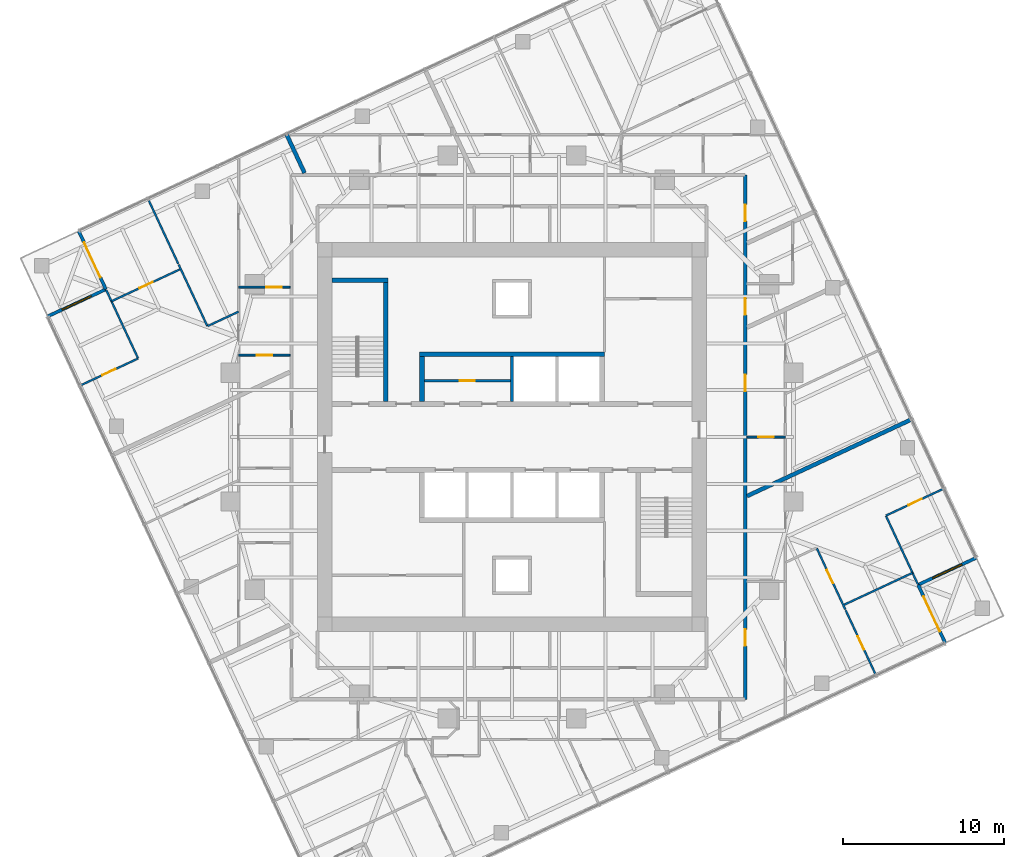
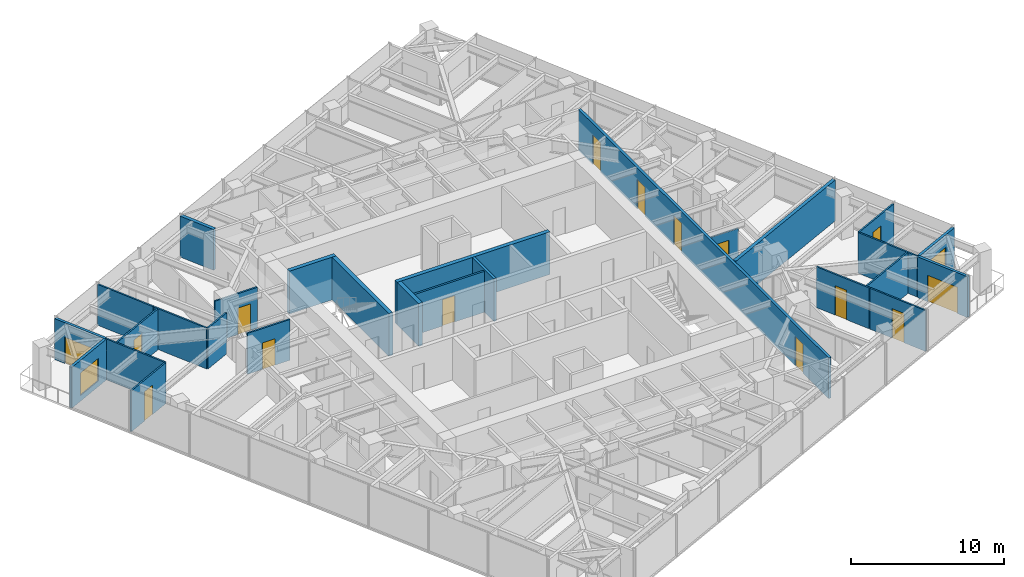
# One storey, part 10 of 13: 27 walls, 15 doors, 2 windows, 17 openings.
"""IFC4 building model written with IfcOpenShell, lengths in metres."""

import ifcopenshell
import ifcopenshell.guid

model = None  # the IFC model being written
_history = None  # IfcOwnerHistory: only IFC2X3 demands one
_inside = {}  # id of a spatial element -> (the spatial element, [elements in it])
_under = {}  # id of a project, library or spatial element -> (it, [spatial elements below it])
_declared = {}  # id of a project -> (the project, [libraries it declares])
_typed = {}  # id of a type object -> (the type object, [elements of that type])
_made_of = {}  # id of a material, layer set ... -> (it, [elements and type objects made of it])


def new_model(schema):
    """Start an empty IFC model of exactly this schema.

    Asked for "IFC4X3", IfcOpenShell would pick the latest addendum, in which some entities
    have other attributes; the version numbers below select the first issue.
    IFC2X3 requires an IfcOwnerHistory on every rooted entity: one is made here for all.
    """
    global model, _history
    if schema == "IFC4X3":
        model = ifcopenshell.file(schema_version=(4, 3, 0, 0))
    else:
        model = ifcopenshell.file(schema=schema)
    _inside.clear()
    _under.clear()
    _declared.clear()
    _typed.clear()
    _made_of.clear()
    _history = None
    if model.schema == "IFC2X3":
        org = make("IfcOrganization", Name="unknown")
        user = make(
            "IfcPersonAndOrganization",
            ThePerson=make("IfcPerson", FamilyName="unknown"),
            TheOrganization=org,
        )
        app = make(
            "IfcApplication",
            ApplicationDeveloper=org,
            Version="unknown",
            ApplicationFullName="unknown",
            ApplicationIdentifier="unknown",
        )
        _history = make(
            "IfcOwnerHistory",
            OwningUser=user,
            OwningApplication=app,
            ChangeAction="ADDED",
            CreationDate=0,
        )
    return model


def make(cls, **values):
    """One entity of the class cls with the attributes given. An attribute that is None is left unset."""
    return model.create_entity(
        cls, **{name: value for name, value in values.items() if value is not None}
    )


def rooted(cls, **values):
    """An entity with a GlobalId (a new one), such as an element, a storey or a relation."""
    return make(cls, GlobalId=ifcopenshell.guid.new(), OwnerHistory=_history, **values)


def si_unit(unit_type, name, prefix=None):
    """IfcSIUnit, for example si_unit("LENGTHUNIT", "METRE", prefix="MILLI")."""
    return make("IfcSIUnit", UnitType=unit_type, Prefix=prefix, Name=name)


def assignment(units):
    """IfcUnitAssignment: the units of a project."""
    return None if units is None else make("IfcUnitAssignment", Units=units)


def point(xyz):
    """IfcCartesianPoint."""
    return None if xyz is None else make("IfcCartesianPoint", Coordinates=xyz)


def direction(xyz):
    """IfcDirection."""
    return None if xyz is None else make("IfcDirection", DirectionRatios=xyz)


def frame(location, z_axis=None, x_axis=None):
    """IfcAxis2Placement3D, a coordinate frame: its origin and axes. An axis left out is left unset."""
    return make(
        "IfcAxis2Placement3D",
        Location=point(location),
        Axis=direction(z_axis),
        RefDirection=direction(x_axis),
    )


def frame_2d(location, x_axis=None):
    """IfcAxis2Placement2D, a coordinate frame in the plane: its origin and x axis."""
    return make(
        "IfcAxis2Placement2D", Location=point(location), RefDirection=direction(x_axis)
    )


def origin():
    """The frame at (0, 0, 0) with its axes left unset."""
    return frame((0.0, 0.0, 0.0))


def place(relative_to, where):
    """IfcLocalPlacement: puts the frame where relative to a parent placement (None: the world)."""
    return make(
        "IfcLocalPlacement", PlacementRelTo=relative_to, RelativePlacement=where
    )


def context(
    kind, dimensions, precision=None, world=None, true_north=None, identifier=None
):
    """IfcGeometricRepresentationContext, for example the 3D "Model" context."""
    return make(
        "IfcGeometricRepresentationContext",
        ContextIdentifier=identifier,
        ContextType=kind,
        CoordinateSpaceDimension=dimensions,
        Precision=precision,
        WorldCoordinateSystem=world,
        TrueNorth=true_north,
    )


def subcontext(parent, identifier, kind, view, scale=None):
    """IfcGeometricRepresentationSubContext, for example "Body" below "Model"."""
    return make(
        "IfcGeometricRepresentationSubContext",
        ContextIdentifier=identifier,
        ContextType=kind,
        ParentContext=parent,
        TargetScale=scale,
        TargetView=view,
    )


def project(units=None, contexts=None):
    """IfcProject with its units and contexts."""
    return rooted(
        "IfcProject",
        Name="project",
        RepresentationContexts=contexts,
        UnitsInContext=assignment(units),
    )


def spatial(cls, under=None, at=None, **own):
    """A site, building, storey or space (cls), placed at a placement, below another one or the project."""
    s = rooted(cls, ObjectPlacement=at, **own)
    if under is not None:
        _under.setdefault(under.id(), (under, []))[1].append(s)
    return s


def profile(cls, at=None, kind="AREA", **sizes):
    """A parametric profile (cls). Its sizes go by their IFC names, for example OverallWidth=200.0."""
    return make(cls, ProfileType=kind, Position=at, **sizes)


def rectangle(**sizes):
    """IfcRectangleProfileDef."""
    return profile("IfcRectangleProfileDef", **sizes)


def extrude(swept, where, along, depth):
    """IfcExtrudedAreaSolid: the profile swept, set in the frame where, extruded along a direction by depth."""
    return make(
        "IfcExtrudedAreaSolid",
        SweptArea=swept,
        Position=where,
        ExtrudedDirection=direction(along),
        Depth=depth,
    )


def shape(context_of_items, identifier, shape_type, items):
    """IfcShapeRepresentation: the items that make up one representation, for example the "Body"."""
    return make(
        "IfcShapeRepresentation",
        ContextOfItems=context_of_items,
        RepresentationIdentifier=identifier,
        RepresentationType=shape_type,
        Items=items,
    )


def material(Name=None, Category=None):
    """IfcMaterial."""
    return make("IfcMaterial", Name=Name, Category=Category)


def layer(
    of_material, thickness, ventilated=None, Name=None, Category=None, Priority=None
):
    """IfcMaterialLayer: one layer of a wall or slab, of a material (None: an air gap)."""
    return make(
        "IfcMaterialLayer",
        Material=of_material,
        LayerThickness=thickness,
        IsVentilated=ventilated,
        Name=Name,
        Category=Category,
        Priority=Priority,
    )


def layer_set(layers, Name=None):
    """IfcMaterialLayerSet."""
    return make("IfcMaterialLayerSet", MaterialLayers=layers, LayerSetName=Name)


def made_of(thing, what):
    """Note that an element or type object is made of a material, layer set ...; save() writes the relation."""
    if what is not None:
        _made_of.setdefault(what.id(), (what, []))[1].append(thing)
    return thing


def type_object(cls, material=None, **own):
    """A type object (cls), such as IfcWallType, which elements share."""
    return made_of(rooted(cls, **own), material)


def element(
    cls,
    number,
    at=None,
    inside=None,
    cuts=None,
    type_object=None,
    material=None,
    context=None,
    identifier="Body",
    shape_type=None,
    held_by="IfcProductDefinitionShape",
    body=None,
    shapes=None,
    **own,
):
    """One element of the class cls, such as IfcWall. Its Tag is "e" and its number.

    at: its placement. inside: the storey or other place that contains it. cuts: it is an
    opening in that element (IfcRelVoidsElement). A single representation is given by context,
    identifier, shape_type and body (its items); several are given by shapes. held_by: the class
    of the entity that holds the representations. save() writes the other relations.
    """
    e = rooted(cls, Tag="e%d" % number, ObjectPlacement=at, **own)
    if body is not None:
        shapes = [shape(context, identifier, shape_type, body)]
    if shapes is not None:
        e.Representation = make(held_by, Representations=shapes)
    if inside is not None:
        _inside.setdefault(inside.id(), (inside, []))[1].append(e)
    if cuts is not None:
        rooted(
            "IfcRelVoidsElement", RelatingBuildingElement=cuts, RelatedOpeningElement=e
        )
    if type_object is not None:
        _typed.setdefault(type_object.id(), (type_object, []))[1].append(e)
    return made_of(e, material)


def fill(opening, filler):
    """IfcRelFillsElement: the door or window that sits in an opening."""
    return rooted(
        "IfcRelFillsElement",
        RelatingOpeningElement=opening,
        RelatedBuildingElement=filler,
    )


def aggregate(whole, parts):
    """IfcRelAggregates: a whole, such as a stair, and the parts it consists of."""
    return rooted("IfcRelAggregates", RelatingObject=whole, RelatedObjects=parts)


def save(model, path):
    """Write the relations noted so far, then the file.

    IfcRelAggregates (storeys below a building ...), IfcRelContainedInSpatialStructure (elements
    in a storey), IfcRelDefinesByType, IfcRelAssociatesMaterial and IfcRelDeclares: one each for
    every whole, place, type object, material and project.
    """
    for whole, parts in _under.values():
        aggregate(whole, parts)
    for where, things in _inside.values():
        rooted(
            "IfcRelContainedInSpatialStructure",
            RelatedElements=things,
            RelatingStructure=where,
        )
    for kind, things in _typed.values():
        rooted("IfcRelDefinesByType", RelatedObjects=things, RelatingType=kind)
    for what, things in _made_of.values():
        rooted("IfcRelAssociatesMaterial", RelatedObjects=things, RelatingMaterial=what)
    for by, libraries in _declared.values():
        rooted("IfcRelDeclares", RelatingContext=by, RelatedDefinitions=libraries)
    model.write(path)


model = new_model("IFC4")

# Units and contexts
model_context = context("Model", 3, precision=1e-05, world=origin(), true_north=direction((0.0, 1.0)))
body_context = subcontext(model_context, "Body", "Model", "MODEL_VIEW")
ifc_project = project(units=[si_unit("LENGTHUNIT", "METRE"), si_unit("AREAUNIT", "SQUARE_METRE"), si_unit("VOLUMEUNIT", "CUBIC_METRE"), si_unit("PLANEANGLEUNIT", "RADIAN"), si_unit("MASSUNIT", "GRAM", prefix="KILO")], contexts=[model_context])

# Site, building, storey
site_placement = place(None, origin())
site = spatial("IfcSite", under=ifc_project, at=site_placement, CompositionType="ELEMENT")
building_placement = place(site_placement, origin())
building = spatial("IfcBuilding", under=site, at=building_placement, Name="Torsade Residences", CompositionType="ELEMENT")
storey_placement = place(building_placement, frame((0.0, 0.0, 182.800048828125)))
storey = spatial("IfcBuildingStorey", under=building, at=storey_placement, Name="L50", CompositionType="ELEMENT", Elevation=182.800048828125)

# Walls
ifc_material_1 = material(Name="Concrete 80 MPa", Category="concrete")
ifc_layer_1 = layer(ifc_material_1, 0.300048828125)
ifc_layer_set_1 = layer_set([ifc_layer_1], Name="Concrete 80 MPa")
wall_type_1 = type_object("IfcWallType", Name="CORE INTERNAL WALL 300", PredefinedType="SHEAR", material=ifc_layer_set_1)
wall_1_placement = place(storey_placement, frame((34.25, 35.14990234375, 0.0), z_axis=(0.0, 0.0, 1.0), x_axis=(1.0, 0.0, 0.0)))
element("IfcWall", 1, at=wall_1_placement, inside=storey, type_object=wall_type_1, Name="Core wall BN L50", PredefinedType="SHEAR", context=body_context, shape_type="SweptSolid", body=[
    extrude(rectangle(XDim=11.5, YDim=0.300048828125, at=frame_2d((5.75, 0.0))), origin(), (0.0, 0.0, 1.0), 3.39990234375),
])
wall_2_placement = place(storey_placement, frame((34.39990234375, 32.199951171875, 0.0), z_axis=(0.0, 0.0, 1.0), x_axis=(0.0, 1.0, 0.0)))
element("IfcWall", 2, at=wall_2_placement, inside=storey, type_object=wall_type_1, Name="Core wall DN0 L50", PredefinedType="SHEAR", context=body_context, shape_type="SweptSolid", body=[
    extrude(rectangle(XDim=2.800048828125, YDim=0.300048828125, at=frame_2d((1.39990234375, 0.0))), origin(), (0.0, 0.0, 1.0), 3.39990234375),
])
wall_3_placement = place(storey_placement, frame((32.14990234375, 32.199951171875, 0.0), z_axis=(0.0, 0.0, 1.0), x_axis=(0.0, 1.0, 0.0)))
element("IfcWall", 3, at=wall_3_placement, inside=storey, type_object=wall_type_1, Name="Core wall ST1E L50", PredefinedType="SHEAR", context=body_context, shape_type="SweptSolid", body=[
    extrude(rectangle(XDim=7.699951171875, YDim=0.300048828125, at=frame_2d((3.85009765625, 0.0))), origin(), (0.0, 0.0, 1.0), 3.39990234375),
])
wall_4_placement = place(storey_placement, frame((28.800048828125, 39.75, 0.0), z_axis=(0.0, 0.0, 1.0), x_axis=(1.0, 0.0, 0.0)))
element("IfcWall", 4, at=wall_4_placement, inside=storey, type_object=wall_type_1, Name="Core wall ST1N L50", PredefinedType="SHEAR", context=body_context, shape_type="SweptSolid", body=[
    extrude(rectangle(XDim=3.5, YDim=0.300048828125, at=frame_2d((1.75, 0.0))), origin(), (0.0, 0.0, 1.0), 3.39990234375),
])

# Wall, openings, doors
ifc_material_2 = material(Name="Plasterboard on steel stud", Category="steel")
ifc_layer_2 = layer(ifc_material_2, 0.199951171875)
ifc_layer_set_2 = layer_set([ifc_layer_2], Name="Plasterboard on steel stud")
wall_type_2 = type_object("IfcWallType", Name="CORRIDOR WALL 200", PredefinedType="PARTITIONING", material=ifc_layer_set_2)
wall_5_placement = place(storey_placement, frame((54.5, 13.699951171875, 0.0), z_axis=(0.0, 0.0, 1.0), x_axis=(0.0, 1.0, 0.0)))
wall_5 = element("IfcWall", 5, at=wall_5_placement, inside=storey, type_object=wall_type_2, Name="Corridor wall L50", PredefinedType="PARTITIONING", context=body_context, shape_type="SweptSolid", body=[
    extrude(rectangle(XDim=32.60009765625, YDim=0.199951171875, at=frame_2d((16.300048828125, 0.0))), origin(), (0.0, 0.0, 1.0), 3.25),
])
opening_1_placement = place(wall_5_placement, frame((3.326416015625, 0.0, 0.0)))
opening_1 = element("IfcOpeningElement", 6, at=opening_1_placement, cuts=wall_5, Name="Opening D01", PredefinedType="OPENING", context=body_context, shape_type="SweptSolid", body=[
    extrude(rectangle(XDim=1.02001953125, YDim=2.340087890625, at=frame_2d((0.510009765625, 1.169921875))), frame((0.0, 0.10986328125, 0.0), z_axis=(0.0, -1.0, 0.0), x_axis=(1.0, 0.0, 0.0)), (0.0, 0.0, 1.0), 0.219970703125),
])
opening_2_placement = place(wall_5_placement, frame((19.16064453125, 0.0, 0.0)))
opening_2 = element("IfcOpeningElement", 7, at=opening_2_placement, cuts=wall_5, Name="Opening D01", PredefinedType="OPENING", context=body_context, shape_type="SweptSolid", body=[
    extrude(rectangle(XDim=1.02001953125, YDim=2.340087890625, at=frame_2d((0.510009765625, 1.169921875))), frame((0.0, 0.10986328125, 0.0), z_axis=(0.0, -1.0, 0.0), x_axis=(1.0, 0.0, 0.0)), (0.0, 0.0, 1.0), 0.219970703125),
])
opening_3_placement = place(wall_5_placement, frame((29.72998046875, 0.0, 0.0)))
opening_3 = element("IfcOpeningElement", 8, at=opening_3_placement, cuts=wall_5, Name="Opening D01", PredefinedType="OPENING", context=body_context, shape_type="SweptSolid", body=[
    extrude(rectangle(XDim=1.02001953125, YDim=2.340087890625, at=frame_2d((0.510009765625, 1.169921875))), frame((0.0, 0.10986328125, 0.0), z_axis=(0.0, -1.0, 0.0), x_axis=(1.0, 0.0, 0.0)), (0.0, 0.0, 1.0), 0.219970703125),
])
opening_4_placement = place(wall_5_placement, frame((23.903564453125, 0.0, 0.0)))
opening_4 = element("IfcOpeningElement", 9, at=opening_4_placement, cuts=wall_5, Name="Opening D01", PredefinedType="OPENING", context=body_context, shape_type="SweptSolid", body=[
    extrude(rectangle(XDim=1.02001953125, YDim=2.340087890625, at=frame_2d((0.510009765625, 1.169921875))), frame((0.0, 0.10986328125, 0.0), z_axis=(0.0, -1.0, 0.0), x_axis=(1.0, 0.0, 0.0)), (0.0, 0.0, 1.0), 0.219970703125),
])
ifc_material_3 = material(Name="Solid-core timber fire door", Category="wood")
door_type_1 = type_object("IfcDoorType", Name="APARTMENT ENTRY DOOR 1020x2340", OperationType="NOTDEFINED", PredefinedType="DOOR", material=ifc_material_3)
door_1_placement = place(opening_1_placement, origin())
door_1 = element("IfcDoor", 10, at=door_1_placement, inside=storey, type_object=door_type_1, Name="Door Residential corridor to Kitchen and dining", OperationType="SINGLE_SWING_LEFT", OverallHeight=2.340087890625, OverallWidth=1.02001953125, PredefinedType="DOOR", context=body_context, shape_type="SweptSolid", body=[
    extrude(rectangle(XDim=1.02001953125, YDim=2.340087890625, at=frame_2d((0.510009765625, 1.169921875))), frame((0.0, 0.02490234375, 0.0), z_axis=(0.0, -1.0, 0.0), x_axis=(1.0, 0.0, 0.0)), (0.0, 0.0, 1.0), 0.050048828125),
])
fill(opening_1, door_1)
door_2_placement = place(opening_2_placement, origin())
door_2 = element("IfcDoor", 11, at=door_2_placement, inside=storey, type_object=door_type_1, Name="Door Residential corridor to Kitchen and dining", OperationType="SINGLE_SWING_RIGHT", OverallHeight=2.340087890625, OverallWidth=1.02001953125, PredefinedType="DOOR", context=body_context, shape_type="SweptSolid", body=[
    extrude(rectangle(XDim=1.02001953125, YDim=2.340087890625, at=frame_2d((0.510009765625, 1.169921875))), frame((0.0, 0.02490234375, 0.0), z_axis=(0.0, -1.0, 0.0), x_axis=(1.0, 0.0, 0.0)), (0.0, 0.0, 1.0), 0.050048828125),
])
fill(opening_2, door_2)
door_3_placement = place(opening_3_placement, origin())
door_3 = element("IfcDoor", 12, at=door_3_placement, inside=storey, type_object=door_type_1, Name="Door Residential corridor to Kitchen and dining", OperationType="SINGLE_SWING_RIGHT", OverallHeight=2.340087890625, OverallWidth=1.02001953125, PredefinedType="DOOR", context=body_context, shape_type="SweptSolid", body=[
    extrude(rectangle(XDim=1.02001953125, YDim=2.340087890625, at=frame_2d((0.510009765625, 1.169921875))), frame((0.0, 0.02490234375, 0.0), z_axis=(0.0, -1.0, 0.0), x_axis=(1.0, 0.0, 0.0)), (0.0, 0.0, 1.0), 0.050048828125),
])
fill(opening_3, door_3)
door_4_placement = place(opening_4_placement, origin())
door_4 = element("IfcDoor", 13, at=door_4_placement, inside=storey, type_object=door_type_1, Name="Door Residential corridor to Kitchen, living and sleeping", OperationType="SINGLE_SWING_RIGHT", OverallHeight=2.340087890625, OverallWidth=1.02001953125, PredefinedType="DOOR", context=body_context, shape_type="SweptSolid", body=[
    extrude(rectangle(XDim=1.02001953125, YDim=2.340087890625, at=frame_2d((0.510009765625, 1.169921875))), frame((0.0, 0.02490234375, 0.0), z_axis=(0.0, -1.0, 0.0), x_axis=(1.0, 0.0, 0.0)), (0.0, 0.0, 1.0), 0.050048828125),
])
fill(opening_4, door_4)

# Wall
ifc_material_4 = material(Name="Reinforced blockwork", Category="masonry")
ifc_layer_3 = layer(ifc_material_4, 0.199951171875)
ifc_layer_set_3 = layer_set([ifc_layer_3], Name="Reinforced blockwork")
wall_type_3 = type_object("IfcWallType", Name="LIFT SHAFT DIVIDING WALL 200", PredefinedType="SOLIDWALL", material=ifc_layer_set_3)
wall_6_placement = place(storey_placement, frame((40.0, 32.199951171875, 0.0), z_axis=(0.0, 0.0, 1.0), x_axis=(0.0, 1.0, 0.0)))
element("IfcWall", 14, at=wall_6_placement, inside=storey, type_object=wall_type_3, Name="Core wall DN2 L50", PredefinedType="SOLIDWALL", context=body_context, shape_type="SweptSolid", body=[
    extrude(rectangle(XDim=2.800048828125, YDim=0.199951171875, at=frame_2d((1.39990234375, 0.0))), origin(), (0.0, 0.0, 1.0), 3.39990234375),
])

# Wall, opening, door
ifc_material_5 = material(Name="Plasterboard on steel stud", Category="steel")
ifc_layer_4 = layer(ifc_material_5, 0.1201171875)
ifc_layer_set_4 = layer_set([ifc_layer_4], Name="Plasterboard on steel stud")
wall_type_4 = type_object("IfcWallType", Name="PARTITION 120", PredefinedType="PARTITIONING", material=ifc_layer_set_4)
wall_7_placement = place(storey_placement, frame((60.720947265625, 19.2822265625, 0.0), z_axis=(0.0, 0.0, 1.0), x_axis=(-0.422625167194, 0.906304566939, 0.0)))
wall_7 = element("IfcWall", 15, at=wall_7_placement, inside=storey, type_object=wall_type_4, Name="Partition L50", PredefinedType="PARTITIONING", context=body_context, shape_type="SweptSolid", body=[
    extrude(rectangle(XDim=4.210693359375, YDim=0.1201171875, at=frame_2d((2.10546875, 0.0))), origin(), (0.0, 0.0, 1.0), 3.25),
])
opening_5_placement = place(wall_7_placement, frame((1.793212890625, 0.0, 0.0)))
opening_5 = element("IfcOpeningElement", 16, at=opening_5_placement, cuts=wall_7, Name="Opening D02", PredefinedType="OPENING", context=body_context, shape_type="SweptSolid", body=[
    extrude(rectangle(XDim=0.919921875, YDim=2.340087890625, at=frame_2d((0.4599609375, 1.169921875))), frame((0.0, 0.070068359375, 0.0), z_axis=(0.0, -1.0, 0.0), x_axis=(1.0, 0.0, 0.0)), (0.0, 0.0, 1.0), 0.14013671875),
])
ifc_material_6 = material(Name="Hollow-core timber door", Category="wood")
door_type_2 = type_object("IfcDoorType", Name="INTERNAL DOOR 920x2340", OperationType="NOTDEFINED", PredefinedType="DOOR", material=ifc_material_6)
door_5_placement = place(opening_5_placement, origin())
door_5 = element("IfcDoor", 17, at=door_5_placement, inside=storey, type_object=door_type_2, Name="Door Bedroom 1 to Living room", OperationType="SINGLE_SWING_RIGHT", OverallHeight=2.340087890625, OverallWidth=0.919921875, PredefinedType="DOOR", context=body_context, shape_type="SweptSolid", body=[
    extrude(rectangle(XDim=0.919921875, YDim=2.340087890625, at=frame_2d((0.4599609375, 1.169921875))), frame((0.0, 0.02490234375, 0.0), z_axis=(0.0, -1.0, 0.0), x_axis=(1.0, 0.0, 0.0)), (0.0, 0.0, 1.0), 0.050048828125),
])
fill(opening_5, door_5)

# Wall
wall_8_placement = place(storey_placement, frame((64.90087890625, 21.5576171875, 0.0), z_axis=(0.0, 0.0, 1.0), x_axis=(-0.906315719442, -0.422601250227, 0.0)))
element("IfcWall", 18, at=wall_8_placement, inside=storey, type_object=wall_type_4, Name="Partition L50", PredefinedType="PARTITIONING", context=body_context, shape_type="SweptSolid", body=[
    extrude(rectangle(XDim=4.75, YDim=0.1201171875, at=frame_2d((2.375, 0.0))), origin(), (0.0, 0.0, 1.0), 3.25),
])

# Wall, opening, door
wall_9_placement = place(storey_placement, frame((66.8310546875, 26.78857421875, 0.0), z_axis=(0.0, 0.0, 1.0), x_axis=(-0.9062952203, -0.422645210149, 0.0)))
wall_9 = element("IfcWall", 19, at=wall_9_placement, inside=storey, type_object=wall_type_4, Name="Partition L50", PredefinedType="PARTITIONING", context=body_context, shape_type="SweptSolid", body=[
    extrude(rectangle(XDim=3.949951171875, YDim=0.1201171875, at=frame_2d((1.97509765625, 0.0))), origin(), (0.0, 0.0, 1.0), 3.25),
])
opening_6_placement = place(wall_9_placement, frame((1.4951171875, 0.0, 0.0)))
opening_6 = element("IfcOpeningElement", 20, at=opening_6_placement, cuts=wall_9, Name="Opening D02", PredefinedType="OPENING", context=body_context, shape_type="SweptSolid", body=[
    extrude(rectangle(XDim=0.919921875, YDim=2.340087890625, at=frame_2d((0.4599609375, 1.169921875))), frame((0.0, 0.070068359375, 0.0), z_axis=(0.0, -1.0, 0.0), x_axis=(1.0, 0.0, 0.0)), (0.0, 0.0, 1.0), 0.14013671875),
])
door_6_placement = place(opening_6_placement, origin())
door_6 = element("IfcDoor", 21, at=door_6_placement, inside=storey, type_object=door_type_2, Name="Door Living room to Bedroom 3", OperationType="SINGLE_SWING_RIGHT", OverallHeight=2.340087890625, OverallWidth=0.919921875, PredefinedType="DOOR", context=body_context, shape_type="SweptSolid", body=[
    extrude(rectangle(XDim=0.919921875, YDim=2.340087890625, at=frame_2d((0.4599609375, 1.169921875))), frame((0.0, 0.02490234375, 0.0), z_axis=(0.0, -1.0, 0.0), x_axis=(1.0, 0.0, 0.0)), (0.0, 0.0, 1.0), 0.050048828125),
])
fill(opening_6, door_6)

# Wall
wall_10_placement = place(storey_placement, frame((63.246337890625, 25.105712890625, 0.0), z_axis=(0.0, 0.0, 1.0), x_axis=(0.422632354456, -0.906301215362, 0.0)))
element("IfcWall", 22, at=wall_10_placement, inside=storey, type_object=wall_type_4, Name="Partition L50", PredefinedType="PARTITIONING", context=body_context, shape_type="SweptSolid", body=[
    extrude(rectangle(XDim=4.699951171875, YDim=0.1201171875, at=frame_2d((2.35009765625, 0.0))), origin(), (0.0, 0.0, 1.0), 3.25),
])

# Wall, opening, door
wall_11_placement = place(storey_placement, frame((60.743896484375, 19.23291015625, 0.0), z_axis=(0.0, 0.0, 1.0), x_axis=(0.42260518136, -0.906313886403, 0.0)))
wall_11 = element("IfcWall", 23, at=wall_11_placement, inside=storey, type_object=wall_type_4, Name="Partition L50", PredefinedType="PARTITIONING", context=body_context, shape_type="SweptSolid", body=[
    extrude(rectangle(XDim=4.43505859375, YDim=0.1201171875, at=frame_2d((2.217529296875, 0.0))), origin(), (0.0, 0.0, 1.0), 3.25),
])
opening_7_placement = place(wall_11_placement, frame((1.777587890625, 0.0, 0.0)))
opening_7 = element("IfcOpeningElement", 24, at=opening_7_placement, cuts=wall_11, Name="Opening D02", PredefinedType="OPENING", context=body_context, shape_type="SweptSolid", body=[
    extrude(rectangle(XDim=0.919921875, YDim=2.340087890625, at=frame_2d((0.4599609375, 1.169921875))), frame((0.0, 0.070068359375, 0.0), z_axis=(0.0, -1.0, 0.0), x_axis=(1.0, 0.0, 0.0)), (0.0, 0.0, 1.0), 0.14013671875),
])
door_7_placement = place(opening_7_placement, origin())
door_7 = element("IfcDoor", 25, at=door_7_placement, inside=storey, type_object=door_type_2, Name="Door Bedroom 1 to Bedroom 2", OperationType="SINGLE_SWING_LEFT", OverallHeight=2.340087890625, OverallWidth=0.919921875, PredefinedType="DOOR", context=body_context, shape_type="SweptSolid", body=[
    extrude(rectangle(XDim=0.919921875, YDim=2.340087890625, at=frame_2d((0.4599609375, 1.169921875))), frame((0.0, 0.02490234375, 0.0), z_axis=(0.0, -1.0, 0.0), x_axis=(1.0, 0.0, 0.0)), (0.0, 0.0, 1.0), 0.050048828125),
])
fill(opening_7, door_7)

wall_12_placement = place(storey_placement, frame((57.0, 30.000732421875, 0.0), z_axis=(0.0, 0.0, 1.0), x_axis=(-1.0, 0.0, 0.0)))
wall_12 = element("IfcWall", 26, at=wall_12_placement, inside=storey, type_object=wall_type_4, Name="Partition L50", PredefinedType="PARTITIONING", context=body_context, shape_type="SweptSolid", body=[
    extrude(rectangle(XDim=2.39990234375, YDim=0.1201171875, at=frame_2d((1.199951171875, 0.0))), origin(), (0.0, 0.0, 1.0), 2.7958984375),
])
opening_8_placement = place(wall_12_placement, frame((0.719970703125, 0.0, 0.0)))
opening_8 = element("IfcOpeningElement", 27, at=opening_8_placement, cuts=wall_12, Name="Opening D05", PredefinedType="OPENING", context=body_context, shape_type="SweptSolid", body=[
    extrude(rectangle(XDim=0.9599609375, YDim=2.10009765625, at=frame_2d((0.47998046875, 1.050048828125))), frame((0.0, 0.070068359375, 0.0), z_axis=(0.0, -1.0, 0.0), x_axis=(1.0, 0.0, 0.0)), (0.0, 0.0, 1.0), 0.14013671875),
])
ifc_material_7 = material(Name="Hollow-core timber door in a steel cavity frame", Category="steel")
door_type_3 = type_object("IfcDoorType", Name="BATHROOM CAVITY SLIDING DOOR 960", OperationType="SLIDING_TO_LEFT", PredefinedType="DOOR", material=ifc_material_7)
door_8_placement = place(opening_8_placement, origin())
door_8 = element("IfcDoor", 28, at=door_8_placement, inside=storey, type_object=door_type_3, Name="Door Kitchen and dining to Bathroom", OperationType="SLIDING_TO_LEFT", OverallHeight=2.10009765625, OverallWidth=0.9599609375, PredefinedType="DOOR", context=body_context, shape_type="SweptSolid", body=[
    extrude(rectangle(XDim=0.9599609375, YDim=2.10009765625, at=frame_2d((0.47998046875, 1.050048828125))), frame((0.0, 0.02490234375, 0.0), z_axis=(0.0, -1.0, 0.0), x_axis=(1.0, 0.0, 0.0)), (0.0, 0.0, 1.0), 0.050048828125),
])
fill(opening_8, door_8)

wall_13_placement = place(storey_placement, frame((26.199951171875, 39.318115234375, 0.0), z_axis=(0.0, 0.0, 1.0), x_axis=(-1.0, 0.0, 0.0)))
wall_13 = element("IfcWall", 29, at=wall_13_placement, inside=storey, type_object=wall_type_4, Name="Partition L50", PredefinedType="PARTITIONING", context=body_context, shape_type="SweptSolid", body=[
    extrude(rectangle(XDim=3.199951171875, YDim=0.1201171875, at=frame_2d((1.60009765625, 0.0))), origin(), (0.0, 0.0, 1.0), 3.25),
])
opening_9_placement = place(wall_13_placement, frame((0.52001953125, 0.0, 0.0)))
opening_9 = element("IfcOpeningElement", 30, at=opening_9_placement, cuts=wall_13, Name="Opening D05", PredefinedType="OPENING", context=body_context, shape_type="SweptSolid", body=[
    extrude(rectangle(XDim=0.9599609375, YDim=2.10009765625, at=frame_2d((0.47998046875, 1.050048828125))), frame((0.0, 0.070068359375, 0.0), z_axis=(0.0, -1.0, 0.0), x_axis=(1.0, 0.0, 0.0)), (0.0, 0.0, 1.0), 0.14013671875),
])
door_9_placement = place(opening_9_placement, origin())
door_9 = element("IfcDoor", 31, at=door_9_placement, inside=storey, type_object=door_type_3, Name="Door Kitchen and dining to Bathroom", OperationType="SLIDING_TO_LEFT", OverallHeight=2.10009765625, OverallWidth=0.9599609375, PredefinedType="DOOR", context=body_context, shape_type="SweptSolid", body=[
    extrude(rectangle(XDim=0.9599609375, YDim=2.10009765625, at=frame_2d((0.47998046875, 1.050048828125))), frame((0.0, 0.02490234375, 0.0), z_axis=(0.0, -1.0, 0.0), x_axis=(1.0, 0.0, 0.0)), (0.0, 0.0, 1.0), 0.050048828125),
])
fill(opening_9, door_9)

wall_14_placement = place(storey_placement, frame((26.199951171875, 35.09228515625, 0.0), z_axis=(0.0, 0.0, 1.0), x_axis=(-1.0, 0.0, 0.0)))
wall_14 = element("IfcWall", 32, at=wall_14_placement, inside=storey, type_object=wall_type_4, Name="Partition L50", PredefinedType="PARTITIONING", context=body_context, shape_type="SweptSolid", body=[
    extrude(rectangle(XDim=3.199951171875, YDim=0.1201171875, at=frame_2d((1.60009765625, 0.0))), origin(), (0.0, 0.0, 1.0), 3.25),
])
opening_10_placement = place(wall_14_placement, frame((1.1201171875, 0.0, 0.0)))
opening_10 = element("IfcOpeningElement", 33, at=opening_10_placement, cuts=wall_14, Name="Opening D05", PredefinedType="OPENING", context=body_context, shape_type="SweptSolid", body=[
    extrude(rectangle(XDim=0.9599609375, YDim=2.10009765625, at=frame_2d((0.47998046875, 1.050048828125))), frame((0.0, 0.070068359375, 0.0), z_axis=(0.0, -1.0, 0.0), x_axis=(1.0, 0.0, 0.0)), (0.0, 0.0, 1.0), 0.14013671875),
])
door_10_placement = place(opening_10_placement, origin())
door_10 = element("IfcDoor", 34, at=door_10_placement, inside=storey, type_object=door_type_3, Name="Door Bathroom to Ensuite", OperationType="SLIDING_TO_LEFT", OverallHeight=2.10009765625, OverallWidth=0.9599609375, PredefinedType="DOOR", context=body_context, shape_type="SweptSolid", body=[
    extrude(rectangle(XDim=0.9599609375, YDim=2.10009765625, at=frame_2d((0.47998046875, 1.050048828125))), frame((0.0, 0.02490234375, 0.0), z_axis=(0.0, -1.0, 0.0), x_axis=(1.0, 0.0, 0.0)), (0.0, 0.0, 1.0), 0.050048828125),
])
fill(opening_10, door_10)

# Walls
wall_15_placement = place(storey_placement, frame((19.279052734375, 40.7177734375, 0.0), z_axis=(0.0, 0.0, 1.0), x_axis=(0.422625167194, -0.906304566939, 0.0)))
element("IfcWall", 35, at=wall_15_placement, inside=storey, type_object=wall_type_4, Name="Partition L50", PredefinedType="PARTITIONING", context=body_context, shape_type="SweptSolid", body=[
    extrude(rectangle(XDim=4.210693359375, YDim=0.1201171875, at=frame_2d((2.10546875, 0.0))), origin(), (0.0, 0.0, 1.0), 3.25),
])
wall_16_placement = place(storey_placement, frame((21.07177734375, 36.896728515625, 0.0), z_axis=(0.0, 0.0, 1.0), x_axis=(0.90630329877, 0.422627886727, 0.0)))
element("IfcWall", 36, at=wall_16_placement, inside=storey, type_object=wall_type_4, Name="Partition L50", PredefinedType="PARTITIONING", context=body_context, shape_type="SweptSolid", body=[
    extrude(rectangle(XDim=2.127685546875, YDim=0.1201171875, at=frame_2d((1.06396484375, 0.0))), origin(), (0.0, 0.0, 1.0), 3.25),
])

# Wall, opening, door
wall_17_placement = place(storey_placement, frame((15.099365234375, 38.4423828125, 0.0), z_axis=(0.0, 0.0, 1.0), x_axis=(0.906306539388, 0.422620937321, 0.0)))
wall_17 = element("IfcWall", 37, at=wall_17_placement, inside=storey, type_object=wall_type_4, Name="Partition L50", PredefinedType="PARTITIONING", context=body_context, shape_type="SweptSolid", body=[
    extrude(rectangle(XDim=4.749755859375, YDim=0.1201171875, at=frame_2d((2.375, 0.0))), origin(), (0.0, 0.0, 1.0), 3.25),
])
opening_11_placement = place(wall_17_placement, frame((1.914794921875, 0.0, 0.0)))
opening_11 = element("IfcOpeningElement", 38, at=opening_11_placement, cuts=wall_17, Name="Opening D02", PredefinedType="OPENING", context=body_context, shape_type="SweptSolid", body=[
    extrude(rectangle(XDim=0.919921875, YDim=2.340087890625, at=frame_2d((0.4599609375, 1.169921875))), frame((0.0, 0.070068359375, 0.0), z_axis=(0.0, -1.0, 0.0), x_axis=(1.0, 0.0, 0.0)), (0.0, 0.0, 1.0), 0.14013671875),
])
door_11_placement = place(opening_11_placement, origin())
door_11 = element("IfcDoor", 39, at=door_11_placement, inside=storey, type_object=door_type_2, Name="Door Living room to Bedroom 2", OperationType="SINGLE_SWING_RIGHT", OverallHeight=2.340087890625, OverallWidth=0.919921875, PredefinedType="DOOR", context=body_context, shape_type="SweptSolid", body=[
    extrude(rectangle(XDim=0.919921875, YDim=2.340087890625, at=frame_2d((0.4599609375, 1.169921875))), frame((0.0, 0.02490234375, 0.0), z_axis=(0.0, -1.0, 0.0), x_axis=(1.0, 0.0, 0.0)), (0.0, 0.0, 1.0), 0.050048828125),
])
fill(opening_11, door_11)

wall_18_placement = place(storey_placement, frame((13.1689453125, 33.21142578125, 0.0), z_axis=(0.0, 0.0, 1.0), x_axis=(0.9062952203, 0.422645210149, 0.0)))
wall_18 = element("IfcWall", 40, at=wall_18_placement, inside=storey, type_object=wall_type_4, Name="Partition L50", PredefinedType="PARTITIONING", context=body_context, shape_type="SweptSolid", body=[
    extrude(rectangle(XDim=3.949951171875, YDim=0.1201171875, at=frame_2d((1.97509765625, 0.0))), origin(), (0.0, 0.0, 1.0), 3.25),
])
opening_12_placement = place(wall_18_placement, frame((1.4951171875, 0.0, 0.0)))
opening_12 = element("IfcOpeningElement", 41, at=opening_12_placement, cuts=wall_18, Name="Opening D02", PredefinedType="OPENING", context=body_context, shape_type="SweptSolid", body=[
    extrude(rectangle(XDim=0.919921875, YDim=2.340087890625, at=frame_2d((0.4599609375, 1.169921875))), frame((0.0, 0.070068359375, 0.0), z_axis=(0.0, -1.0, 0.0), x_axis=(1.0, 0.0, 0.0)), (0.0, 0.0, 1.0), 0.14013671875),
])
door_12_placement = place(opening_12_placement, origin())
door_12 = element("IfcDoor", 42, at=door_12_placement, inside=storey, type_object=door_type_2, Name="Door Living room to Bedroom 3", OperationType="SINGLE_SWING_RIGHT", OverallHeight=2.340087890625, OverallWidth=0.919921875, PredefinedType="DOOR", context=body_context, shape_type="SweptSolid", body=[
    extrude(rectangle(XDim=0.919921875, YDim=2.340087890625, at=frame_2d((0.4599609375, 1.169921875))), frame((0.0, 0.02490234375, 0.0), z_axis=(0.0, -1.0, 0.0), x_axis=(1.0, 0.0, 0.0)), (0.0, 0.0, 1.0), 0.050048828125),
])
fill(opening_12, door_12)

# Walls
wall_19_placement = place(storey_placement, frame((16.753662109375, 34.894287109375, 0.0), z_axis=(0.0, 0.0, 1.0), x_axis=(-0.42256979057, 0.906330387937, 0.0)))
element("IfcWall", 43, at=wall_19_placement, inside=storey, type_object=wall_type_4, Name="Partition L50", PredefinedType="PARTITIONING", context=body_context, shape_type="SweptSolid", body=[
    extrude(rectangle(XDim=4.699951171875, YDim=0.1201171875, at=frame_2d((2.35009765625, 0.0))), origin(), (0.0, 0.0, 1.0), 3.25),
])
wall_20_placement = place(storey_placement, frame((19.256103515625, 40.76708984375, 0.0), z_axis=(0.0, 0.0, 1.0), x_axis=(-0.42260518136, 0.906313886403, 0.0)))
element("IfcWall", 44, at=wall_20_placement, inside=storey, type_object=wall_type_4, Name="Partition L50", PredefinedType="PARTITIONING", context=body_context, shape_type="SweptSolid", body=[
    extrude(rectangle(XDim=4.43505859375, YDim=0.1201171875, at=frame_2d((2.217529296875, 0.0))), origin(), (0.0, 0.0, 1.0), 3.25),
])
ifc_material_8 = material(Name="Masonry-lined stud party wall", Category="masonry")
ifc_layer_5 = layer(ifc_material_8, 0.25)
ifc_layer_set_5 = layer_set([ifc_layer_5], Name="Masonry-lined stud party wall")
wall_type_5 = type_object("IfcWallType", Name="PARTY WALL 250", PredefinedType="PARTITIONING", material=ifc_layer_set_5)
wall_21_placement = place(storey_placement, frame((64.85986328125, 31.1103515625, 0.0), z_axis=(0.0, 0.0, 1.0), x_axis=(-0.906306714884, -0.422620560972, 0.0)))
element("IfcWall", 45, at=wall_21_placement, inside=storey, type_object=wall_type_5, Name="Party wall L50", PredefinedType="PARTITIONING", context=body_context, shape_type="SweptSolid", body=[
    extrude(rectangle(XDim=11.30224609375, YDim=0.25, at=frame_2d((5.651123046875, 0.0))), origin(), (0.0, 0.0, 1.0), 3.25),
])
wall_22_placement = place(storey_placement, frame((25.974853515625, 48.837646484375, 0.0), z_axis=(0.0, 0.0, 1.0), x_axis=(0.422590257842, -0.906320844943, 0.0)))
element("IfcWall", 46, at=wall_22_placement, inside=storey, type_object=wall_type_5, Name="Party wall L50", PredefinedType="PARTITIONING", context=body_context, shape_type="SweptSolid", body=[
    extrude(rectangle(XDim=2.67138671875, YDim=0.25, at=frame_2d((1.335693359375, 0.0))), origin(), (0.0, 0.0, 1.0), 3.25),
])

# Wall, opening, door
ifc_material_9 = material(Name="Reinforced blockwork", Category="masonry")
ifc_layer_6 = layer(ifc_material_9, 0.14990234375)
ifc_layer_set_6 = layer_set([ifc_layer_6], Name="Reinforced blockwork")
wall_type_6 = type_object("IfcWallType", Name="SERVICE ROOM WALL 150", PredefinedType="SOLIDWALL", material=ifc_layer_set_6)
wall_23_placement = place(storey_placement, frame((34.550048828125, 33.5, 0.0), z_axis=(0.0, 0.0, 1.0), x_axis=(1.0, 0.0, 0.0)))
wall_23 = element("IfcWall", 47, at=wall_23_placement, inside=storey, type_object=wall_type_6, Name="Service room wall L50", PredefinedType="SOLIDWALL", context=body_context, shape_type="SweptSolid", body=[
    extrude(rectangle(XDim=5.349853515625, YDim=0.14990234375, at=frame_2d((2.6748046875, 0.0))), origin(), (0.0, 0.0, 1.0), 3.25),
])
opening_13_placement = place(wall_23_placement, frame((2.215087890625, 0.0, 0.0)))
opening_13 = element("IfcOpeningElement", 48, at=opening_13_placement, cuts=wall_23, Name="Opening D06", PredefinedType="OPENING", context=body_context, shape_type="SweptSolid", body=[
    extrude(rectangle(XDim=0.919921875, YDim=2.10009765625, at=frame_2d((0.4599609375, 1.050048828125))), frame((0.0, 0.0849609375, 0.0), z_axis=(0.0, -1.0, 0.0), x_axis=(1.0, 0.0, 0.0)), (0.0, 0.0, 1.0), 0.169921875),
])
ifc_material_10 = material(Name="Steel-framed fire door", Category="steel")
door_type_4 = type_object("IfcDoorType", Name="FIRE DOOR 920", OperationType="NOTDEFINED", PredefinedType="DOOR", material=ifc_material_10)
door_13_placement = place(opening_13_placement, origin())
door_13 = element("IfcDoor", 49, at=door_13_placement, inside=storey, type_object=door_type_4, Name="Door Residents storage L50A to Records store L50B", OperationType="SINGLE_SWING_RIGHT", OverallHeight=2.10009765625, OverallWidth=0.919921875, PredefinedType="DOOR", context=body_context, shape_type="SweptSolid", body=[
    extrude(rectangle(XDim=0.919921875, YDim=2.10009765625, at=frame_2d((0.4599609375, 1.050048828125))), frame((0.0, 0.02490234375, 0.0), z_axis=(0.0, -1.0, 0.0), x_axis=(1.0, 0.0, 0.0)), (0.0, 0.0, 1.0), 0.050048828125),
])
fill(opening_13, door_13)

ifc_material_11 = material(Name="Stone-faced precast concrete 40 MPa panel", Category="masonry")
ifc_layer_7 = layer(ifc_material_11, 0.199951171875)
ifc_layer_set_7 = layer_set([ifc_layer_7], Name="Stone-faced precast concrete 40 MPa panel")
wall_type_7 = type_object("IfcWallType", Name="TERRACE WALL 200", PredefinedType="SOLIDWALL", material=ifc_layer_set_7)
wall_24_placement = place(storey_placement, frame((66.940185546875, 17.1845703125, 0.0), z_axis=(0.0, 0.0, 1.0), x_axis=(-0.422658246362, 0.906289140828, 0.0)))
wall_24 = element("IfcWall", 50, at=wall_24_placement, inside=storey, type_object=wall_type_7, Name="Terrace wall L50 2", PredefinedType="SOLIDWALL", context=body_context, shape_type="SweptSolid", body=[
    extrude(rectangle(XDim=4.0, YDim=0.199951171875, at=frame_2d((2.0, 0.0))), origin(), (0.0, 0.0, 1.0), 3.25),
])
opening_14_placement = place(wall_24_placement, frame((0.800048828125, 0.0, 0.0)))
opening_14 = element("IfcOpeningElement", 51, at=opening_14_placement, cuts=wall_24, Name="Opening D10A", PredefinedType="OPENING", context=body_context, shape_type="SweptSolid", body=[
    extrude(rectangle(XDim=2.39990234375, YDim=2.10009765625, at=frame_2d((1.199951171875, 1.050048828125))), frame((0.0, 0.10986328125, 0.0), z_axis=(0.0, -1.0, 0.0), x_axis=(1.0, 0.0, 0.0)), (0.0, 0.0, 1.0), 0.219970703125),
])
ifc_material_12 = material(Name="Aluminium-framed glass door", Category="aluminium")
door_type_5 = type_object("IfcDoorType", Name="TERRACE SLIDING DOOR 2400x2100", OperationType="SLIDING_TO_LEFT", PredefinedType="DOOR", material=ifc_material_12)
door_14_placement = place(opening_14_placement, origin())
door_14 = element("IfcDoor", 52, at=door_14_placement, inside=storey, type_object=door_type_5, Name="Terrace door L50 2", OperationType="SLIDING_TO_LEFT", OverallHeight=2.10009765625, OverallWidth=2.39990234375, PredefinedType="DOOR", context=body_context, shape_type="SweptSolid", body=[
    extrude(rectangle(XDim=2.39990234375, YDim=2.10009765625, at=frame_2d((1.199951171875, 1.050048828125))), frame((0.0, 0.02490234375, 0.0), z_axis=(0.0, -1.0, 0.0), x_axis=(1.0, 0.0, 0.0)), (0.0, 0.0, 1.0), 0.050048828125),
])
fill(opening_14, door_14)

# Wall, opening, window
wall_25_placement = place(storey_placement, frame((65.24951171875, 20.809814453125, 0.0), z_axis=(0.0, 0.0, 1.0), x_axis=(0.906289140828, 0.422658246362, 0.0)))
wall_25 = element("IfcWall", 53, at=wall_25_placement, inside=storey, type_object=wall_type_7, Name="Terrace wall L50 3", PredefinedType="SOLIDWALL", context=body_context, shape_type="SweptSolid", body=[
    extrude(rectangle(XDim=4.0, YDim=0.199951171875, at=frame_2d((2.0, 0.0))), origin(), (0.0, 0.0, 1.0), 3.25),
])
opening_15_placement = place(wall_25_placement, frame((1.0, 0.0, 0.449951171875)))
opening_15 = element("IfcOpeningElement", 54, at=opening_15_placement, cuts=wall_25, Name="Opening W1B", PredefinedType="OPENING", context=body_context, shape_type="SweptSolid", body=[
    extrude(rectangle(XDim=2.0, YDim=1.800048828125, at=frame_2d((1.0, 0.89990234375))), frame((0.0, 0.10986328125, 0.0), z_axis=(0.0, -1.0, 0.0), x_axis=(1.0, 0.0, 0.0)), (0.0, 0.0, 1.0), 0.219970703125),
])
ifc_material_13 = material(Name="Aluminium-framed glass window", Category="aluminium")
window_type = type_object("IfcWindowType", Name="TERRACE WINDOW 2000x1800", PartitioningType="SINGLE_PANEL", PredefinedType="WINDOW", material=ifc_material_13)
window_1_placement = place(opening_15_placement, origin())
window_1 = element("IfcWindow", 55, at=window_1_placement, inside=storey, type_object=window_type, Name="Terrace window L50 3", OverallHeight=1.800048828125, OverallWidth=2.0, PartitioningType="SINGLE_PANEL", PredefinedType="WINDOW", context=body_context, shape_type="SweptSolid", body=[
    extrude(rectangle(XDim=2.0, YDim=1.800048828125, at=frame_2d((1.0, 0.89990234375))), frame((0.0, 0.030029296875, 0.0), z_axis=(0.0, -1.0, 0.0), x_axis=(1.0, 0.0, 0.0)), (0.0, 0.0, 1.0), 0.06005859375),
])
fill(opening_15, window_1)

# Wall, opening, door
wall_26_placement = place(storey_placement, frame((13.059814453125, 42.8154296875, 0.0), z_axis=(0.0, 0.0, 1.0), x_axis=(0.422658246362, -0.906289140828, 0.0)))
wall_26 = element("IfcWall", 56, at=wall_26_placement, inside=storey, type_object=wall_type_7, Name="Terrace wall L50 8", PredefinedType="SOLIDWALL", context=body_context, shape_type="SweptSolid", body=[
    extrude(rectangle(XDim=4.0, YDim=0.199951171875, at=frame_2d((2.0, 0.0))), origin(), (0.0, 0.0, 1.0), 3.25),
])
opening_16_placement = place(wall_26_placement, frame((0.800048828125, 0.0, 0.0)))
opening_16 = element("IfcOpeningElement", 57, at=opening_16_placement, cuts=wall_26, Name="Opening D10A", PredefinedType="OPENING", context=body_context, shape_type="SweptSolid", body=[
    extrude(rectangle(XDim=2.39990234375, YDim=2.10009765625, at=frame_2d((1.199951171875, 1.050048828125))), frame((0.0, 0.10986328125, 0.0), z_axis=(0.0, -1.0, 0.0), x_axis=(1.0, 0.0, 0.0)), (0.0, 0.0, 1.0), 0.219970703125),
])
door_15_placement = place(opening_16_placement, origin())
door_15 = element("IfcDoor", 58, at=door_15_placement, inside=storey, type_object=door_type_5, Name="Terrace door L50 8", OperationType="SLIDING_TO_LEFT", OverallHeight=2.10009765625, OverallWidth=2.39990234375, PredefinedType="DOOR", context=body_context, shape_type="SweptSolid", body=[
    extrude(rectangle(XDim=2.39990234375, YDim=2.10009765625, at=frame_2d((1.199951171875, 1.050048828125))), frame((0.0, 0.02490234375, 0.0), z_axis=(0.0, -1.0, 0.0), x_axis=(1.0, 0.0, 0.0)), (0.0, 0.0, 1.0), 0.050048828125),
])
fill(opening_16, door_15)

# Wall, opening, window
wall_27_placement = place(storey_placement, frame((14.75048828125, 39.190185546875, 0.0), z_axis=(0.0, 0.0, 1.0), x_axis=(-0.906289140828, -0.422658246362, 0.0)))
wall_27 = element("IfcWall", 59, at=wall_27_placement, inside=storey, type_object=wall_type_7, Name="Terrace wall L50 9", PredefinedType="SOLIDWALL", context=body_context, shape_type="SweptSolid", body=[
    extrude(rectangle(XDim=4.0, YDim=0.199951171875, at=frame_2d((2.0, 0.0))), origin(), (0.0, 0.0, 1.0), 3.25),
])
opening_17_placement = place(wall_27_placement, frame((1.0, 0.0, 0.449951171875)))
opening_17 = element("IfcOpeningElement", 60, at=opening_17_placement, cuts=wall_27, Name="Opening W1B", PredefinedType="OPENING", context=body_context, shape_type="SweptSolid", body=[
    extrude(rectangle(XDim=2.0, YDim=1.800048828125, at=frame_2d((1.0, 0.89990234375))), frame((0.0, 0.10986328125, 0.0), z_axis=(0.0, -1.0, 0.0), x_axis=(1.0, 0.0, 0.0)), (0.0, 0.0, 1.0), 0.219970703125),
])
window_2_placement = place(opening_17_placement, origin())
window_2 = element("IfcWindow", 61, at=window_2_placement, inside=storey, type_object=window_type, Name="Terrace window L50 9", OverallHeight=1.800048828125, OverallWidth=2.0, PartitioningType="SINGLE_PANEL", PredefinedType="WINDOW", context=body_context, shape_type="SweptSolid", body=[
    extrude(rectangle(XDim=2.0, YDim=1.800048828125, at=frame_2d((1.0, 0.89990234375))), frame((0.0, 0.030029296875, 0.0), z_axis=(0.0, -1.0, 0.0), x_axis=(1.0, 0.0, 0.0)), (0.0, 0.0, 1.0), 0.06005859375),
])
fill(opening_17, window_2)

save(model, "model.ifc")
